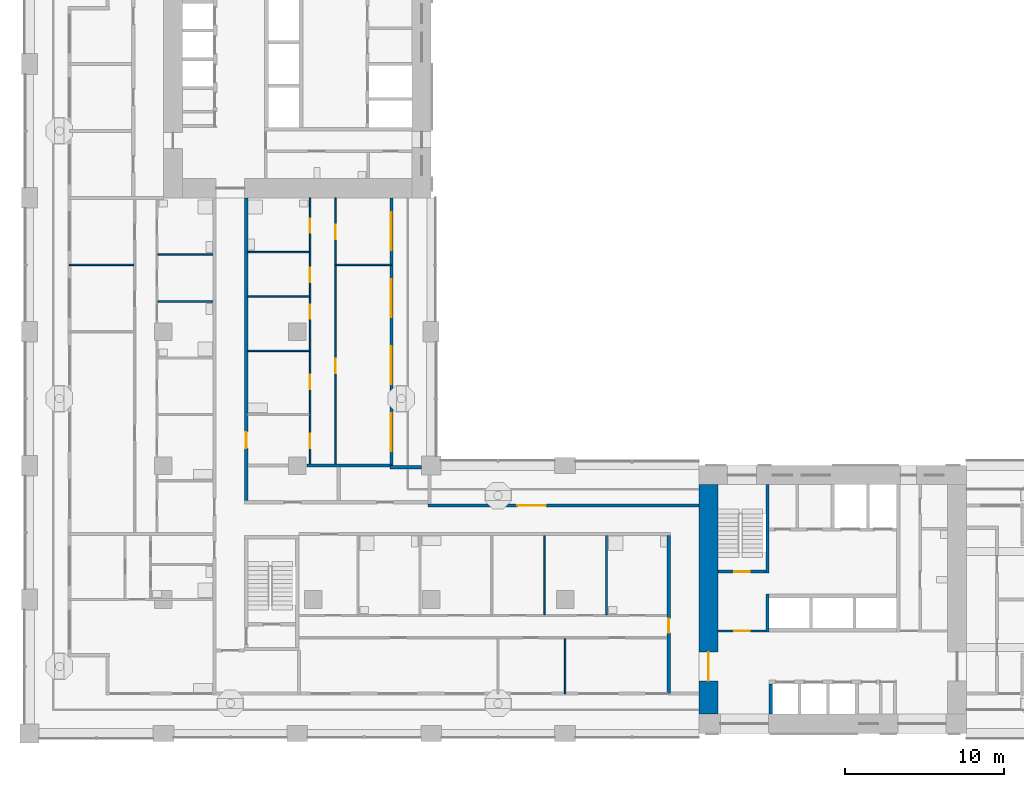
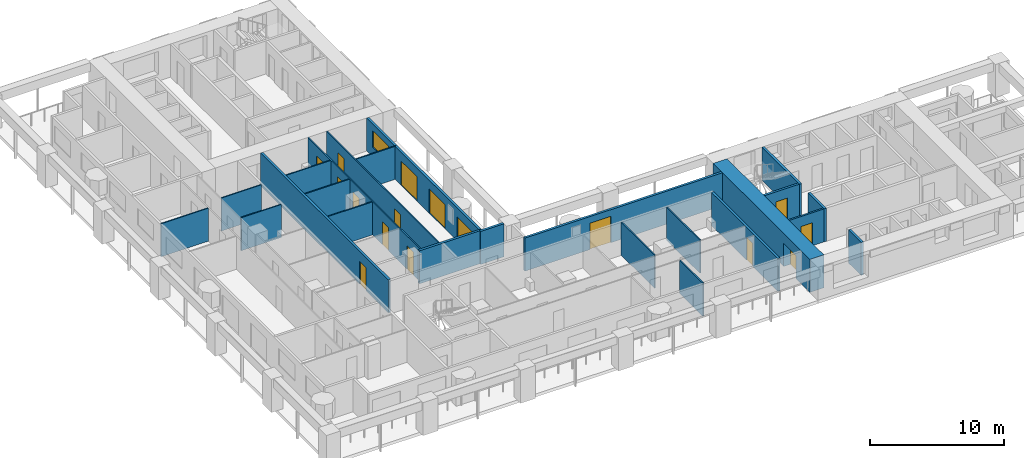
# One storey, part 4 of 18: 24 walls, 16 doors, 1 window, 17 openings.
"""IFC4 building model written with IfcOpenShell, lengths in metres."""

from ifc_helpers import new_model, si_unit, direction, frame, frame_2d, origin, place, context, subcontext, project, spatial, rectangle, extrude, material, layer, layer_set, type_object, element, fill, save


model = new_model("IFC4")

# Units and contexts
model_context = context("Model", 3, precision=1e-05, world=origin(), true_north=direction((0.0, 1.0)))
body_context = subcontext(model_context, "Body", "Model", "MODEL_VIEW")
ifc_project = project(units=[si_unit("LENGTHUNIT", "METRE"), si_unit("AREAUNIT", "SQUARE_METRE"), si_unit("VOLUMEUNIT", "CUBIC_METRE"), si_unit("PLANEANGLEUNIT", "RADIAN"), si_unit("MASSUNIT", "GRAM", prefix="KILO")], contexts=[model_context])

# Site, building, storey
site_placement = place(None, origin())
site = spatial("IfcSite", under=ifc_project, at=site_placement, CompositionType="ELEMENT")
building_placement = place(site_placement, origin())
building = spatial("IfcBuilding", under=site, at=building_placement, Name="Vermilion Gate Residences", CompositionType="ELEMENT")
storey_placement = place(building_placement, frame((0.0, 0.0, 137.199951171875)))
storey = spatial("IfcBuildingStorey", under=building, at=storey_placement, Name="L35", CompositionType="ELEMENT", Elevation=137.199951171875)

# Wall, opening, door
ifc_material_1 = material(Name="Masonry blockwork", Category="masonry")
ifc_layer_1 = layer(ifc_material_1, 0.14990234375)
ifc_layer_set_1 = layer_set([ifc_layer_1], Name="BLOCKWORK PARTITION 150 EI 120")
wall_type_1 = type_object("IfcWallType", Name="BLOCKWORK PARTITION 150 EI 120", PredefinedType="PARTITIONING", material=ifc_layer_set_1)
wall_1_placement = place(storey_placement, frame((43.199951171875, 14.824951171875, 0.0), z_axis=(0.0, 0.0, 1.0), x_axis=(1.0, 0.0, 0.0)))
wall_1 = element("IfcWall", 1, at=wall_1_placement, inside=storey, type_object=wall_type_1, Name="Core room partition A35-VW-S", PredefinedType="PARTITIONING", context=body_context, shape_type="SweptSolid", body=[
    extrude(rectangle(XDim=3.0, YDim=0.14990234375, at=frame_2d((1.5, 0.0))), origin(), (0.0, 0.0, 1.0), 3.0),
])
opening_1_placement = place(wall_1_placement, frame((1.0, 0.0, 0.0)))
opening_1 = element("IfcOpeningElement", 2, at=opening_1_placement, cuts=wall_1, Name="Opening DK35012", PredefinedType="OPENING", context=body_context, shape_type="SweptSolid", body=[
    extrude(rectangle(XDim=1.0, YDim=2.10009765625, at=frame_2d((0.5, 1.050048828125))), frame((0.0, 0.0849609375, 0.0), z_axis=(0.0, -1.0, 0.0), x_axis=(1.0, 0.0, 0.0)), (0.0, 0.0, 1.0), 0.169921875),
])
ifc_material_2 = material(Name="Steel", Category="steel")
door_type_1 = type_object("IfcDoorType", Name="FIRE DOOR FD60 1000 X 2100", OperationType="SINGLE_SWING_LEFT", PredefinedType="DOOR", material=ifc_material_2)
door_1_placement = place(opening_1_placement, frame((1.0, 0.0, 0.0), z_axis=(0.0, 0.0, 1.0), x_axis=(-1.0, 0.0, 0.0)))
door_1 = element("IfcDoor", 3, at=door_1_placement, inside=storey, type_object=door_type_1, Name="Stair vestibule door A35", OperationType="SINGLE_SWING_RIGHT", OverallHeight=2.10009765625, OverallWidth=1.0, PredefinedType="DOOR", context=body_context, shape_type="SweptSolid", body=[
    extrude(rectangle(XDim=1.0, YDim=2.10009765625, at=frame_2d((0.5, 1.050048828125))), frame((0.0, 0.02490234375, 0.0), z_axis=(0.0, -1.0, 0.0), x_axis=(1.0, 0.0, 0.0)), (0.0, 0.0, 1.0), 0.050048828125),
])
fill(opening_1, door_1)

ifc_material_3 = material(Name="Insulated steel stud wall with terracotta rainscreen", Category="masonry")
ifc_layer_2 = layer(ifc_material_3, 0.199951171875)
ifc_layer_set_2 = layer_set([ifc_layer_2], Name="EXTERNAL WALL 200 TERRACOTTA RAINSCREEN")
wall_type_2 = type_object("IfcWallType", Name="EXTERNAL WALL 200 TERRACOTTA RAINSCREEN", PredefinedType="SOLIDWALL", material=ifc_layer_set_2)
wall_2_placement = place(storey_placement, frame((42.0, 22.699951171875, 0.0), z_axis=(0.0, 0.0, 1.0), x_axis=(-1.0, 0.0, 0.0)))
wall_2 = element("IfcWall", 4, at=wall_2_placement, inside=storey, type_object=wall_type_2, Name="External wall", PredefinedType="SOLIDWALL", context=body_context, shape_type="SweptSolid", body=[
    extrude(rectangle(XDim=17.0, YDim=0.199951171875, at=frame_2d((8.5, 0.0))), origin(), (0.0, 0.0, 1.0), 3.0),
])
opening_2_placement = place(wall_2_placement, frame((9.60009765625, 0.0, 0.0)))
opening_2 = element("IfcOpeningElement", 5, at=opening_2_placement, cuts=wall_2, Name="Opening DE35029", PredefinedType="OPENING", context=body_context, shape_type="SweptSolid", body=[
    extrude(rectangle(XDim=1.800048828125, YDim=2.39990234375, at=frame_2d((0.89990234375, 1.199951171875))), frame((0.0, 0.10986328125, 0.0), z_axis=(0.0, -1.0, 0.0), x_axis=(1.0, 0.0, 0.0)), (0.0, 0.0, 1.0), 0.219970703125),
])
ifc_material_4 = material(Name="Aluminium and clear glass", Category="aluminium")
door_type_2 = type_object("IfcDoorType", Name="GLAZED EXTERNAL DOOR 1800 X 2400", OperationType="DOUBLE_DOOR_SINGLE_SWING", PredefinedType="DOOR", material=ifc_material_4)
door_2_placement = place(opening_2_placement, frame((1.800048828125, 0.0, 0.0), z_axis=(0.0, 0.0, 1.0), x_axis=(-1.0, 0.0, 0.0)))
door_2 = element("IfcDoor", 6, at=door_2_placement, inside=storey, type_object=door_type_2, Name="Gallery door", OperationType="DOUBLE_DOOR_SINGLE_SWING", OverallHeight=2.39990234375, OverallWidth=1.800048828125, PredefinedType="DOOR", context=body_context, shape_type="SweptSolid", body=[
    extrude(rectangle(XDim=1.800048828125, YDim=2.39990234375, at=frame_2d((0.89990234375, 1.199951171875))), frame((0.0, 0.02490234375, 0.0), z_axis=(0.0, -1.0, 0.0), x_axis=(1.0, 0.0, 0.0)), (0.0, 0.0, 1.0), 0.050048828125),
])
fill(opening_2, door_2)

# Wall
wall_3_placement = place(storey_placement, frame((24.60009765625, 25.10009765625, 0.0), z_axis=(0.0, 0.0, 1.0), x_axis=(-1.0, 0.0, 0.0)))
element("IfcWall", 7, at=wall_3_placement, inside=storey, type_object=wall_type_2, Name="External wall", PredefinedType="SOLIDWALL", context=body_context, shape_type="SweptSolid", body=[
    extrude(rectangle(XDim=2.0, YDim=0.199951171875, at=frame_2d((1.0, 0.0))), origin(), (0.0, 0.0, 1.0), 3.0),
])

# Wall, openings, doors, window
wall_4_placement = place(storey_placement, frame((22.699951171875, 25.199951171875, 0.0), z_axis=(0.0, 0.0, 1.0), x_axis=(0.0, 1.0, 0.0)))
wall_4 = element("IfcWall", 8, at=wall_4_placement, inside=storey, type_object=wall_type_2, Name="External wall", PredefinedType="SOLIDWALL", context=body_context, shape_type="SweptSolid", body=[
    extrude(rectangle(XDim=16.800048828125, YDim=0.199951171875, at=frame_2d((8.39990234375, 0.0))), origin(), (0.0, 0.0, 1.0), 3.0),
])
opening_3_placement = place(wall_4_placement, frame((0.89990234375, 0.0, 0.0)))
opening_3 = element("IfcOpeningElement", 9, at=opening_3_placement, cuts=wall_4, Name="Opening DE35024", PredefinedType="OPENING", context=body_context, shape_type="SweptSolid", body=[
    extrude(rectangle(XDim=2.39990234375, YDim=2.199951171875, at=frame_2d((1.199951171875, 1.10009765625))), frame((0.0, 0.10986328125, 0.0), z_axis=(0.0, -1.0, 0.0), x_axis=(1.0, 0.0, 0.0)), (0.0, 0.0, 1.0), 0.219970703125),
])
opening_4_placement = place(wall_4_placement, frame((5.10009765625, 0.0, 0.0)))
opening_4 = element("IfcOpeningElement", 10, at=opening_4_placement, cuts=wall_4, Name="Opening DE35025", PredefinedType="OPENING", context=body_context, shape_type="SweptSolid", body=[
    extrude(rectangle(XDim=2.39990234375, YDim=2.199951171875, at=frame_2d((1.199951171875, 1.10009765625))), frame((0.0, 0.10986328125, 0.0), z_axis=(0.0, -1.0, 0.0), x_axis=(1.0, 0.0, 0.0)), (0.0, 0.0, 1.0), 0.219970703125),
])
opening_5_placement = place(wall_4_placement, frame((9.300048828125, 0.0, 0.0)))
opening_5 = element("IfcOpeningElement", 11, at=opening_5_placement, cuts=wall_4, Name="Opening DE35026", PredefinedType="OPENING", context=body_context, shape_type="SweptSolid", body=[
    extrude(rectangle(XDim=2.39990234375, YDim=2.199951171875, at=frame_2d((1.199951171875, 1.10009765625))), frame((0.0, 0.10986328125, 0.0), z_axis=(0.0, -1.0, 0.0), x_axis=(1.0, 0.0, 0.0)), (0.0, 0.0, 1.0), 0.219970703125),
])
opening_6_placement = place(wall_4_placement, frame((13.5, 0.0, 0.89990234375)))
opening_6 = element("IfcOpeningElement", 12, at=opening_6_placement, cuts=wall_4, Name="Opening WE35027", PredefinedType="OPENING", context=body_context, shape_type="SweptSolid", body=[
    extrude(rectangle(XDim=2.39990234375, YDim=1.5, at=frame_2d((1.199951171875, 0.75))), frame((0.0, 0.10986328125, 0.0), z_axis=(0.0, -1.0, 0.0), x_axis=(1.0, 0.0, 0.0)), (0.0, 0.0, 1.0), 0.219970703125),
])
ifc_material_5 = material(Name="Aluminium and clear glass", Category="aluminium")
door_type_3 = type_object("IfcDoorType", Name="SLIDING GLAZED DOOR 2400 X 2200", OperationType="DOUBLE_DOOR_SLIDING", PredefinedType="DOOR", material=ifc_material_5)
door_3_placement = place(opening_3_placement, origin())
door_3 = element("IfcDoor", 13, at=door_3_placement, inside=storey, type_object=door_type_3, Name="Loggia sliding door", OperationType="DOUBLE_DOOR_SLIDING", OverallHeight=2.199951171875, OverallWidth=2.39990234375, PredefinedType="DOOR", context=body_context, shape_type="SweptSolid", body=[
    extrude(rectangle(XDim=2.39990234375, YDim=2.199951171875, at=frame_2d((1.199951171875, 1.10009765625))), frame((0.0, 0.02490234375, 0.0), z_axis=(0.0, -1.0, 0.0), x_axis=(1.0, 0.0, 0.0)), (0.0, 0.0, 1.0), 0.050048828125),
])
fill(opening_3, door_3)
door_4_placement = place(opening_4_placement, origin())
door_4 = element("IfcDoor", 14, at=door_4_placement, inside=storey, type_object=door_type_3, Name="Loggia sliding door", OperationType="DOUBLE_DOOR_SLIDING", OverallHeight=2.199951171875, OverallWidth=2.39990234375, PredefinedType="DOOR", context=body_context, shape_type="SweptSolid", body=[
    extrude(rectangle(XDim=2.39990234375, YDim=2.199951171875, at=frame_2d((1.199951171875, 1.10009765625))), frame((0.0, 0.02490234375, 0.0), z_axis=(0.0, -1.0, 0.0), x_axis=(1.0, 0.0, 0.0)), (0.0, 0.0, 1.0), 0.050048828125),
])
fill(opening_4, door_4)
door_5_placement = place(opening_5_placement, origin())
door_5 = element("IfcDoor", 15, at=door_5_placement, inside=storey, type_object=door_type_3, Name="Loggia sliding door", OperationType="DOUBLE_DOOR_SLIDING", OverallHeight=2.199951171875, OverallWidth=2.39990234375, PredefinedType="DOOR", context=body_context, shape_type="SweptSolid", body=[
    extrude(rectangle(XDim=2.39990234375, YDim=2.199951171875, at=frame_2d((1.199951171875, 1.10009765625))), frame((0.0, 0.02490234375, 0.0), z_axis=(0.0, -1.0, 0.0), x_axis=(1.0, 0.0, 0.0)), (0.0, 0.0, 1.0), 0.050048828125),
])
fill(opening_5, door_5)
ifc_material_6 = material(Name="Aluminium and clear glass", Category="aluminium")
window_type = type_object("IfcWindowType", Name="WINDOW 2400 X 1500", PartitioningType="SINGLE_PANEL", PredefinedType="WINDOW", material=ifc_material_6)
window_placement = place(opening_6_placement, origin())
window = element("IfcWindow", 16, at=window_placement, inside=storey, type_object=window_type, Name="Window", OverallHeight=1.5, OverallWidth=2.39990234375, PartitioningType="SINGLE_PANEL", PredefinedType="WINDOW", context=body_context, shape_type="SweptSolid", body=[
    extrude(rectangle(XDim=2.39990234375, YDim=1.5, at=frame_2d((1.199951171875, 0.75))), frame((0.0, 0.030029296875, 0.0), z_axis=(0.0, -1.0, 0.0), x_axis=(1.0, 0.0, 0.0)), (0.0, 0.0, 1.0), 0.06005859375),
])
fill(opening_6, window)

# Walls
ifc_material_7 = material(Name="Plasterboard on steel studs", Category="steel")
ifc_layer_3 = layer(ifc_material_7, 0.10009765625)
ifc_layer_set_3 = layer_set([ifc_layer_3], Name="PARTITION 100")
wall_type_3 = type_object("IfcWallType", Name="PARTITION 100", PredefinedType="PARTITIONING", material=ifc_layer_set_3)
wall_5_placement = place(storey_placement, frame((13.699951171875, 32.39990234375, 0.0), z_axis=(0.0, 0.0, 1.0), x_axis=(1.0, 0.0, 0.0)))
element("IfcWall", 17, at=wall_5_placement, inside=storey, type_object=wall_type_3, Name="Partition", PredefinedType="PARTITIONING", context=body_context, shape_type="SweptSolid", body=[
    extrude(rectangle(XDim=3.85009765625, YDim=0.10009765625, at=frame_2d((1.925048828125, 0.0))), origin(), (0.0, 0.0, 1.0), 3.0),
])
wall_6_placement = place(storey_placement, frame((8.050048828125, 35.5, 0.0), z_axis=(0.0, 0.0, 1.0), x_axis=(1.0, 0.0, 0.0)))
element("IfcWall", 18, at=wall_6_placement, inside=storey, type_object=wall_type_3, Name="Partition", PredefinedType="PARTITIONING", context=body_context, shape_type="SweptSolid", body=[
    extrude(rectangle(XDim=3.449951171875, YDim=0.10009765625, at=frame_2d((1.72509765625, 0.0))), origin(), (0.0, 0.0, 1.0), 3.0),
])
wall_7_placement = place(storey_placement, frame((13.699951171875, 35.800048828125, 0.0), z_axis=(0.0, 0.0, 1.0), x_axis=(1.0, 0.0, 0.0)))
element("IfcWall", 19, at=wall_7_placement, inside=storey, type_object=wall_type_3, Name="Partition", PredefinedType="PARTITIONING", context=body_context, shape_type="SweptSolid", body=[
    extrude(rectangle(XDim=3.85009765625, YDim=0.10009765625, at=frame_2d((1.925048828125, 0.0))), origin(), (0.0, 0.0, 1.0), 3.0),
])
wall_8_placement = place(storey_placement, frame((2.5, 37.800048828125, 0.0), z_axis=(0.0, 0.0, 1.0), x_axis=(1.0, 0.0, 0.0)))
element("IfcWall", 20, at=wall_8_placement, inside=storey, type_object=wall_type_3, Name="Partition", PredefinedType="PARTITIONING", context=body_context, shape_type="SweptSolid", body=[
    extrude(rectangle(XDim=4.050048828125, YDim=0.10009765625, at=frame_2d((2.02490234375, 0.0))), origin(), (0.0, 0.0, 1.0), 3.0),
])
for number, where, z_axis, x_axis, name in (
    (21, (19.25, 37.800048828125, 0.0), (0.0, 0.0, 1.0), (1.0, 0.0, 0.0), "Partition"),
    (22, (8.050048828125, 38.449951171875, 0.0), (0.0, 0.0, 1.0), (1.0, 0.0, 0.0), "Partition"),
):
    element("IfcWall", number, at=place(storey_placement, frame(where, z_axis=z_axis, x_axis=x_axis)), inside=storey, type_object=wall_type_3, Name=name, PredefinedType="PARTITIONING", context=body_context, shape_type="SweptSolid", body=[
        extrude(rectangle(XDim=3.449951171875, YDim=0.10009765625, at=frame_2d((1.72509765625, 0.0))), origin(), (0.0, 0.0, 1.0), 3.0),
    ])
wall_9_placement = place(storey_placement, frame((13.699951171875, 38.60009765625, 0.0), z_axis=(0.0, 0.0, 1.0), x_axis=(1.0, 0.0, 0.0)))
element("IfcWall", 23, at=wall_9_placement, inside=storey, type_object=wall_type_3, Name="Partition", PredefinedType="PARTITIONING", context=body_context, shape_type="SweptSolid", body=[
    extrude(rectangle(XDim=3.85009765625, YDim=0.10009765625, at=frame_2d((1.925048828125, 0.0))), origin(), (0.0, 0.0, 1.0), 3.0),
])

# Wall, openings, doors
wall_10_placement = place(storey_placement, frame((17.60009765625, 25.300048828125, 0.0), z_axis=(0.0, 0.0, 1.0), x_axis=(0.0, 1.0, 0.0)))
wall_10 = element("IfcWall", 24, at=wall_10_placement, inside=storey, type_object=wall_type_3, Name="Partition", PredefinedType="PARTITIONING", context=body_context, shape_type="SweptSolid", body=[
    extrude(rectangle(XDim=16.699951171875, YDim=0.10009765625, at=frame_2d((8.35009765625, 0.0))), origin(), (0.0, 0.0, 1.0), 3.0),
])
opening_7_placement = place(wall_10_placement, frame((1.0, 0.0, 0.0)))
opening_7 = element("IfcOpeningElement", 25, at=opening_7_placement, cuts=wall_10, Name="Opening DA34033", PredefinedType="OPENING", context=body_context, shape_type="SweptSolid", body=[
    extrude(rectangle(XDim=0.89990234375, YDim=2.10009765625, at=frame_2d((0.449951171875, 1.050048828125))), frame((0.0, 0.06005859375, 0.0), z_axis=(0.0, -1.0, 0.0), x_axis=(1.0, 0.0, 0.0)), (0.0, 0.0, 1.0), 0.1201171875),
])
opening_8_placement = place(wall_10_placement, frame((4.699951171875, 0.0, 0.0)))
opening_8 = element("IfcOpeningElement", 26, at=opening_8_placement, cuts=wall_10, Name="Opening DA34034", PredefinedType="OPENING", context=body_context, shape_type="SweptSolid", body=[
    extrude(rectangle(XDim=0.89990234375, YDim=2.10009765625, at=frame_2d((0.449951171875, 1.050048828125))), frame((0.0, 0.06005859375, 0.0), z_axis=(0.0, -1.0, 0.0), x_axis=(1.0, 0.0, 0.0)), (0.0, 0.0, 1.0), 0.1201171875),
])
opening_9_placement = place(wall_10_placement, frame((9.10009765625, 0.0, 0.0)))
opening_9 = element("IfcOpeningElement", 27, at=opening_9_placement, cuts=wall_10, Name="Opening DA34035", PredefinedType="OPENING", context=body_context, shape_type="SweptSolid", body=[
    extrude(rectangle(XDim=0.89990234375, YDim=2.10009765625, at=frame_2d((0.449951171875, 1.050048828125))), frame((0.0, 0.06005859375, 0.0), z_axis=(0.0, -1.0, 0.0), x_axis=(1.0, 0.0, 0.0)), (0.0, 0.0, 1.0), 0.1201171875),
])
opening_10_placement = place(wall_10_placement, frame((11.39990234375, 0.0, 0.0)))
opening_10 = element("IfcOpeningElement", 28, at=opening_10_placement, cuts=wall_10, Name="Opening DA34036", PredefinedType="OPENING", context=body_context, shape_type="SweptSolid", body=[
    extrude(rectangle(XDim=0.89990234375, YDim=2.10009765625, at=frame_2d((0.449951171875, 1.050048828125))), frame((0.0, 0.06005859375, 0.0), z_axis=(0.0, -1.0, 0.0), x_axis=(1.0, 0.0, 0.0)), (0.0, 0.0, 1.0), 0.1201171875),
])
opening_11_placement = place(wall_10_placement, frame((14.5, 0.0, 0.0)))
opening_11 = element("IfcOpeningElement", 29, at=opening_11_placement, cuts=wall_10, Name="Opening DA34037", PredefinedType="OPENING", context=body_context, shape_type="SweptSolid", body=[
    extrude(rectangle(XDim=0.89990234375, YDim=2.10009765625, at=frame_2d((0.449951171875, 1.050048828125))), frame((0.0, 0.06005859375, 0.0), z_axis=(0.0, -1.0, 0.0), x_axis=(1.0, 0.0, 0.0)), (0.0, 0.0, 1.0), 0.1201171875),
])
ifc_material_8 = material(Name="Timber", Category="wood")
door_type_4 = type_object("IfcDoorType", Name="INTERIOR DOOR 900 X 2100", OperationType="SINGLE_SWING_LEFT", PredefinedType="DOOR", material=ifc_material_8)
door_6_placement = place(opening_7_placement, origin())
door_6 = element("IfcDoor", 30, at=door_6_placement, inside=storey, type_object=door_type_4, Name="Interior door", OperationType="SINGLE_SWING_LEFT", OverallHeight=2.10009765625, OverallWidth=0.89990234375, PredefinedType="DOOR", context=body_context, shape_type="SweptSolid", body=[
    extrude(rectangle(XDim=0.89990234375, YDim=2.10009765625, at=frame_2d((0.449951171875, 1.050048828125))), frame((0.0, 0.02490234375, 0.0), z_axis=(0.0, -1.0, 0.0), x_axis=(1.0, 0.0, 0.0)), (0.0, 0.0, 1.0), 0.050048828125),
])
fill(opening_7, door_6)
door_7_placement = place(opening_8_placement, origin())
door_7 = element("IfcDoor", 31, at=door_7_placement, inside=storey, type_object=door_type_4, Name="Interior door", OperationType="SINGLE_SWING_RIGHT", OverallHeight=2.10009765625, OverallWidth=0.89990234375, PredefinedType="DOOR", context=body_context, shape_type="SweptSolid", body=[
    extrude(rectangle(XDim=0.89990234375, YDim=2.10009765625, at=frame_2d((0.449951171875, 1.050048828125))), frame((0.0, 0.02490234375, 0.0), z_axis=(0.0, -1.0, 0.0), x_axis=(1.0, 0.0, 0.0)), (0.0, 0.0, 1.0), 0.050048828125),
])
fill(opening_8, door_7)
door_8_placement = place(opening_9_placement, origin())
door_8 = element("IfcDoor", 32, at=door_8_placement, inside=storey, type_object=door_type_4, Name="Interior door", OperationType="SINGLE_SWING_RIGHT", OverallHeight=2.10009765625, OverallWidth=0.89990234375, PredefinedType="DOOR", context=body_context, shape_type="SweptSolid", body=[
    extrude(rectangle(XDim=0.89990234375, YDim=2.10009765625, at=frame_2d((0.449951171875, 1.050048828125))), frame((0.0, 0.02490234375, 0.0), z_axis=(0.0, -1.0, 0.0), x_axis=(1.0, 0.0, 0.0)), (0.0, 0.0, 1.0), 0.050048828125),
])
fill(opening_9, door_8)
door_9_placement = place(opening_10_placement, origin())
door_9 = element("IfcDoor", 33, at=door_9_placement, inside=storey, type_object=door_type_4, Name="Interior door", OperationType="SINGLE_SWING_LEFT", OverallHeight=2.10009765625, OverallWidth=0.89990234375, PredefinedType="DOOR", context=body_context, shape_type="SweptSolid", body=[
    extrude(rectangle(XDim=0.89990234375, YDim=2.10009765625, at=frame_2d((0.449951171875, 1.050048828125))), frame((0.0, 0.02490234375, 0.0), z_axis=(0.0, -1.0, 0.0), x_axis=(1.0, 0.0, 0.0)), (0.0, 0.0, 1.0), 0.050048828125),
])
fill(opening_10, door_9)
door_10_placement = place(opening_11_placement, origin())
door_10 = element("IfcDoor", 34, at=door_10_placement, inside=storey, type_object=door_type_4, Name="Interior door", OperationType="SINGLE_SWING_RIGHT", OverallHeight=2.10009765625, OverallWidth=0.89990234375, PredefinedType="DOOR", context=body_context, shape_type="SweptSolid", body=[
    extrude(rectangle(XDim=0.89990234375, YDim=2.10009765625, at=frame_2d((0.449951171875, 1.050048828125))), frame((0.0, 0.02490234375, 0.0), z_axis=(0.0, -1.0, 0.0), x_axis=(1.0, 0.0, 0.0)), (0.0, 0.0, 1.0), 0.050048828125),
])
fill(opening_11, door_10)

wall_11_placement = place(storey_placement, frame((19.199951171875, 25.300048828125, 0.0), z_axis=(0.0, 0.0, 1.0), x_axis=(0.0, 1.0, 0.0)))
wall_11 = element("IfcWall", 35, at=wall_11_placement, inside=storey, type_object=wall_type_3, Name="Partition", PredefinedType="PARTITIONING", context=body_context, shape_type="SweptSolid", body=[
    extrude(rectangle(XDim=16.699951171875, YDim=0.10009765625, at=frame_2d((8.35009765625, 0.0))), origin(), (0.0, 0.0, 1.0), 3.0),
])
opening_12_placement = place(wall_11_placement, frame((5.699951171875, 0.0, 0.0)))
opening_12 = element("IfcOpeningElement", 36, at=opening_12_placement, cuts=wall_11, Name="Opening DA34038", PredefinedType="OPENING", context=body_context, shape_type="SweptSolid", body=[
    extrude(rectangle(XDim=0.89990234375, YDim=2.10009765625, at=frame_2d((0.449951171875, 1.050048828125))), frame((0.0, 0.06005859375, 0.0), z_axis=(0.0, -1.0, 0.0), x_axis=(1.0, 0.0, 0.0)), (0.0, 0.0, 1.0), 0.1201171875),
])
opening_13_placement = place(wall_11_placement, frame((14.10009765625, 0.0, 0.0)))
opening_13 = element("IfcOpeningElement", 37, at=opening_13_placement, cuts=wall_11, Name="Opening DA34039", PredefinedType="OPENING", context=body_context, shape_type="SweptSolid", body=[
    extrude(rectangle(XDim=0.89990234375, YDim=2.10009765625, at=frame_2d((0.449951171875, 1.050048828125))), frame((0.0, 0.06005859375, 0.0), z_axis=(0.0, -1.0, 0.0), x_axis=(1.0, 0.0, 0.0)), (0.0, 0.0, 1.0), 0.1201171875),
])
door_11_placement = place(opening_12_placement, frame((0.89990234375, 0.0, 0.0), z_axis=(0.0, 0.0, 1.0), x_axis=(-1.0, 0.0, 0.0)))
door_11 = element("IfcDoor", 38, at=door_11_placement, inside=storey, type_object=door_type_4, Name="Interior door", OperationType="SINGLE_SWING_RIGHT", OverallHeight=2.10009765625, OverallWidth=0.89990234375, PredefinedType="DOOR", context=body_context, shape_type="SweptSolid", body=[
    extrude(rectangle(XDim=0.89990234375, YDim=2.10009765625, at=frame_2d((0.449951171875, 1.050048828125))), frame((0.0, 0.02490234375, 0.0), z_axis=(0.0, -1.0, 0.0), x_axis=(1.0, 0.0, 0.0)), (0.0, 0.0, 1.0), 0.050048828125),
])
fill(opening_12, door_11)
door_12_placement = place(opening_13_placement, frame((0.89990234375, 0.0, 0.0), z_axis=(0.0, 0.0, 1.0), x_axis=(-1.0, 0.0, 0.0)))
door_12 = element("IfcDoor", 39, at=door_12_placement, inside=storey, type_object=door_type_4, Name="Interior door", OperationType="SINGLE_SWING_RIGHT", OverallHeight=2.10009765625, OverallWidth=0.89990234375, PredefinedType="DOOR", context=body_context, shape_type="SweptSolid", body=[
    extrude(rectangle(XDim=0.89990234375, YDim=2.10009765625, at=frame_2d((0.449951171875, 1.050048828125))), frame((0.0, 0.02490234375, 0.0), z_axis=(0.0, -1.0, 0.0), x_axis=(1.0, 0.0, 0.0)), (0.0, 0.0, 1.0), 0.050048828125),
])
fill(opening_13, door_12)

# Walls
wall_12_placement = place(storey_placement, frame((32.300048828125, 15.85009765625, 0.0), z_axis=(0.0, 0.0, 1.0), x_axis=(0.0, 1.0, 0.0)))
element("IfcWall", 40, at=wall_12_placement, inside=storey, type_object=wall_type_3, Name="Partition", PredefinedType="PARTITIONING", context=body_context, shape_type="SweptSolid", body=[
    extrude(rectangle(XDim=4.949951171875, YDim=0.10009765625, at=frame_2d((2.47509765625, 0.0))), origin(), (0.0, 0.0, 1.0), 3.0),
])
wall_13_placement = place(storey_placement, frame((33.60009765625, 10.89990234375, 0.0), z_axis=(0.0, 0.0, 1.0), x_axis=(0.0, 1.0, 0.0)))
element("IfcWall", 41, at=wall_13_placement, inside=storey, type_object=wall_type_3, Name="Partition", PredefinedType="PARTITIONING", context=body_context, shape_type="SweptSolid", body=[
    extrude(rectangle(XDim=3.4501953125, YDim=0.10009765625, at=frame_2d((1.72509765625, 0.0))), origin(), (0.0, 0.0, 1.0), 3.0),
])
wall_14_placement = place(storey_placement, frame((36.199951171875, 15.85009765625, 0.0), z_axis=(0.0, 0.0, 1.0), x_axis=(0.0, 1.0, 0.0)))
element("IfcWall", 42, at=wall_14_placement, inside=storey, type_object=wall_type_3, Name="Partition", PredefinedType="PARTITIONING", context=body_context, shape_type="SweptSolid", body=[
    extrude(rectangle(XDim=4.949951171875, YDim=0.10009765625, at=frame_2d((2.47509765625, 0.0))), origin(), (0.0, 0.0, 1.0), 3.0),
])
ifc_material_9 = material(Name="Fire-rated plasterboard on steel studs", Category="steel")
ifc_layer_4 = layer(ifc_material_9, 0.199951171875)
ifc_layer_set_4 = layer_set([ifc_layer_4], Name="PARTY WALL 200 EI 120")
wall_type_4 = type_object("IfcWallType", Name="PARTY WALL 200 EI 120", PredefinedType="PARTITIONING", material=ifc_layer_set_4)
wall_15_placement = place(storey_placement, frame((17.39990234375, 25.199951171875, 0.0), z_axis=(0.0, 0.0, 1.0), x_axis=(1.0, 0.0, 0.0)))
element("IfcWall", 43, at=wall_15_placement, inside=storey, type_object=wall_type_4, Name="Party and corridor wall", PredefinedType="PARTITIONING", context=body_context, shape_type="SweptSolid", body=[
    extrude(rectangle(XDim=5.300048828125, YDim=0.199951171875, at=frame_2d((2.64990234375, 0.0))), origin(), (0.0, 0.0, 1.0), 3.0),
])

# Wall, opening, door
wall_16_placement = place(storey_placement, frame((13.60009765625, 23.0, 0.0), z_axis=(0.0, 0.0, 1.0), x_axis=(0.0, 1.0, 0.0)))
wall_16 = element("IfcWall", 44, at=wall_16_placement, inside=storey, type_object=wall_type_4, Name="Party and corridor wall", PredefinedType="PARTITIONING", context=body_context, shape_type="SweptSolid", body=[
    extrude(rectangle(XDim=19.0, YDim=0.199951171875, at=frame_2d((9.5, 0.0))), origin(), (0.0, 0.0, 1.0), 3.0),
])
opening_14_placement = place(wall_16_placement, frame((3.300048828125, 0.0, 0.0)))
opening_14 = element("IfcOpeningElement", 45, at=opening_14_placement, cuts=wall_16, Name="Opening DA34032", PredefinedType="OPENING", context=body_context, shape_type="SweptSolid", body=[
    extrude(rectangle(XDim=1.0, YDim=2.10009765625, at=frame_2d((0.5, 1.050048828125))), frame((0.0, 0.10986328125, 0.0), z_axis=(0.0, -1.0, 0.0), x_axis=(1.0, 0.0, 0.0)), (0.0, 0.0, 1.0), 0.219970703125),
])
ifc_material_10 = material(Name="Steel", Category="steel")
door_type_5 = type_object("IfcDoorType", Name="ENTRANCE DOOR 1000 X 2100 FD30", OperationType="SINGLE_SWING_LEFT", PredefinedType="DOOR", material=ifc_material_10)
door_13_placement = place(opening_14_placement, frame((1.0, 0.0, 0.0), z_axis=(0.0, 0.0, 1.0), x_axis=(-1.0, 0.0, 0.0)))
door_13 = element("IfcDoor", 46, at=door_13_placement, inside=storey, type_object=door_type_5, Name="Entrance door", OperationType="SINGLE_SWING_RIGHT", OverallHeight=2.10009765625, OverallWidth=1.0, PredefinedType="DOOR", context=body_context, shape_type="SweptSolid", body=[
    extrude(rectangle(XDim=1.0, YDim=2.10009765625, at=frame_2d((0.5, 1.050048828125))), frame((0.0, 0.02490234375, 0.0), z_axis=(0.0, -1.0, 0.0), x_axis=(1.0, 0.0, 0.0)), (0.0, 0.0, 1.0), 0.050048828125),
])
fill(opening_14, door_13)

wall_17_placement = place(storey_placement, frame((40.10009765625, 10.89990234375, 0.0), z_axis=(0.0, 0.0, 1.0), x_axis=(0.0, 1.0, 0.0)))
wall_17 = element("IfcWall", 47, at=wall_17_placement, inside=storey, type_object=wall_type_4, Name="Party and corridor wall", PredefinedType="PARTITIONING", context=body_context, shape_type="SweptSolid", body=[
    extrude(rectangle(XDim=9.900146484375, YDim=0.199951171875, at=frame_2d((4.9501953125, 0.0))), origin(), (0.0, 0.0, 1.0), 3.0),
])
opening_15_placement = place(wall_17_placement, frame((3.800048828125, 0.0, 0.0)))
opening_15 = element("IfcOpeningElement", 48, at=opening_15_placement, cuts=wall_17, Name="Opening DA34040", PredefinedType="OPENING", context=body_context, shape_type="SweptSolid", body=[
    extrude(rectangle(XDim=0.89990234375, YDim=2.10009765625, at=frame_2d((0.449951171875, 1.050048828125))), frame((0.0, 0.10986328125, 0.0), z_axis=(0.0, -1.0, 0.0), x_axis=(1.0, 0.0, 0.0)), (0.0, 0.0, 1.0), 0.219970703125),
])
door_14_placement = place(opening_15_placement, origin())
door_14 = element("IfcDoor", 49, at=door_14_placement, inside=storey, type_object=door_type_4, Name="Interior door", OperationType="SINGLE_SWING_RIGHT", OverallHeight=2.10009765625, OverallWidth=0.89990234375, PredefinedType="DOOR", context=body_context, shape_type="SweptSolid", body=[
    extrude(rectangle(XDim=0.89990234375, YDim=2.10009765625, at=frame_2d((0.449951171875, 1.050048828125))), frame((0.0, 0.02490234375, 0.0), z_axis=(0.0, -1.0, 0.0), x_axis=(1.0, 0.0, 0.0)), (0.0, 0.0, 1.0), 0.050048828125),
])
fill(opening_15, door_14)

# Walls
ifc_material_11 = material(Name="Concrete C60", Category="concrete")
ifc_layer_5 = layer(ifc_material_11, 0.199951171875)
ifc_layer_set_5 = layer_set([ifc_layer_5], Name="RC CORE INTERNAL WALL 200 C60")
wall_type_5 = type_object("IfcWallType", Name="RC CORE INTERNAL WALL 200 C60", PredefinedType="SHEAR", material=ifc_layer_set_5)
wall_18_placement = place(storey_placement, frame((46.5, 9.60009765625, 0.0), z_axis=(0.0, 0.0, 1.0), x_axis=(0.0, 1.0, 0.0)))
element("IfcWall", 50, at=wall_18_placement, inside=storey, type_object=wall_type_5, Name="Core internal wall A35-LR-D0", PredefinedType="SHEAR", context=body_context, shape_type="SweptSolid", body=[
    extrude(rectangle(XDim=1.89990234375, YDim=0.199951171875, at=frame_2d((0.949951171875, 0.0))), origin(), (0.0, 0.0, 1.0), 3.0),
])
wall_19_placement = place(storey_placement, frame((46.300048828125, 14.75, 0.0), z_axis=(0.0, 0.0, 1.0), x_axis=(0.0, 1.0, 0.0)))
element("IfcWall", 51, at=wall_19_placement, inside=storey, type_object=wall_type_5, Name="Core internal wall A35-WDIV1", PredefinedType="SHEAR", context=body_context, shape_type="SweptSolid", body=[
    extrude(rectangle(XDim=2.39990234375, YDim=0.199951171875, at=frame_2d((1.199951171875, 0.0))), origin(), (0.0, 0.0, 1.0), 3.0),
])
wall_20_placement = place(storey_placement, frame((46.300048828125, 18.449951171875, 0.0), z_axis=(0.0, 0.0, 1.0), x_axis=(0.0, 1.0, 0.0)))
element("IfcWall", 52, at=wall_20_placement, inside=storey, type_object=wall_type_5, Name="Core internal wall A35-WDIV2", PredefinedType="SHEAR", context=body_context, shape_type="SweptSolid", body=[
    extrude(rectangle(XDim=5.550048828125, YDim=0.199951171875, at=frame_2d((2.77490234375, 0.0))), origin(), (0.0, 0.0, 1.0), 3.0),
])

# Wall, opening, door
wall_21_placement = place(storey_placement, frame((43.199951171875, 18.550048828125, 0.0), z_axis=(0.0, 0.0, 1.0), x_axis=(1.0, 0.0, 0.0)))
wall_21 = element("IfcWall", 53, at=wall_21_placement, inside=storey, type_object=wall_type_5, Name="Core internal wall A35-STW-S", PredefinedType="SHEAR", context=body_context, shape_type="SweptSolid", body=[
    extrude(rectangle(XDim=3.0, YDim=0.199951171875, at=frame_2d((1.5, 0.0))), origin(), (0.0, 0.0, 1.0), 3.0),
])
opening_16_placement = place(wall_21_placement, frame((1.0, 0.0, 0.0)))
opening_16 = element("IfcOpeningElement", 54, at=opening_16_placement, cuts=wall_21, Name="Opening DK35013", PredefinedType="OPENING", context=body_context, shape_type="SweptSolid", body=[
    extrude(rectangle(XDim=1.0, YDim=2.10009765625, at=frame_2d((0.5, 1.050048828125))), frame((0.0, 0.10986328125, 0.0), z_axis=(0.0, -1.0, 0.0), x_axis=(1.0, 0.0, 0.0)), (0.0, 0.0, 1.0), 0.219970703125),
])
door_15_placement = place(opening_16_placement, origin())
door_15 = element("IfcDoor", 55, at=door_15_placement, inside=storey, type_object=door_type_1, Name="Stair door A35", OperationType="SINGLE_SWING_LEFT", OverallHeight=2.10009765625, OverallWidth=1.0, PredefinedType="DOOR", context=body_context, shape_type="SweptSolid", body=[
    extrude(rectangle(XDim=1.0, YDim=2.10009765625, at=frame_2d((0.5, 1.050048828125))), frame((0.0, 0.02490234375, 0.0), z_axis=(0.0, -1.0, 0.0), x_axis=(1.0, 0.0, 0.0)), (0.0, 0.0, 1.0), 0.050048828125),
])
fill(opening_16, door_15)

ifc_material_12 = material(Name="Concrete C70", Category="concrete")
ifc_layer_6 = layer(ifc_material_12, 1.199951171875)
ifc_layer_set_6 = layer_set([ifc_layer_6], Name="RC CORE WALL 1200 C70")
wall_type_6 = type_object("IfcWallType", Name="RC CORE WALL 1200 C70", PredefinedType="SHEAR", material=ifc_layer_set_6)
wall_22_placement = place(storey_placement, frame((42.60009765625, 9.60009765625, 0.0), z_axis=(0.0, 0.0, 1.0), x_axis=(0.0, 1.0, 0.0)))
wall_22 = element("IfcWall", 56, at=wall_22_placement, inside=storey, type_object=wall_type_6, Name="Core wall A35-OUT-FR", PredefinedType="SHEAR", context=body_context, shape_type="SweptSolid", body=[
    extrude(rectangle(XDim=14.39990234375, YDim=1.199951171875, at=frame_2d((7.199951171875, 0.0))), origin(), (0.0, 0.0, 1.0), 3.0),
])
opening_17_placement = place(wall_22_placement, frame((2.10009765625, 0.0, 0.0)))
opening_17 = element("IfcOpeningElement", 57, at=opening_17_placement, cuts=wall_22, Name="Opening DK35001", PredefinedType="OPENING", context=body_context, shape_type="SweptSolid", body=[
    extrude(rectangle(XDim=1.800048828125, YDim=2.10009765625, at=frame_2d((0.89990234375, 1.050048828125))), frame((0.0, 0.60986328125, 0.0), z_axis=(0.0, -1.0, 0.0), x_axis=(1.0, 0.0, 0.0)), (0.0, 0.0, 1.0), 1.219970703125),
])
ifc_material_13 = material(Name="Steel", Category="steel")
door_type_6 = type_object("IfcDoorType", Name="CORE LOBBY DOOR FD60 1800 X 2100", OperationType="DOUBLE_DOOR_SINGLE_SWING", PredefinedType="DOOR", material=ifc_material_13)
door_16_placement = place(opening_17_placement, frame((1.800048828125, 0.0, 0.0), z_axis=(0.0, 0.0, 1.0), x_axis=(-1.0, 0.0, 0.0)))
door_16 = element("IfcDoor", 58, at=door_16_placement, inside=storey, type_object=door_type_6, Name="Core lobby door A35", OperationType="DOUBLE_DOOR_SINGLE_SWING", OverallHeight=2.10009765625, OverallWidth=1.800048828125, PredefinedType="DOOR", context=body_context, shape_type="SweptSolid", body=[
    extrude(rectangle(XDim=1.800048828125, YDim=2.10009765625, at=frame_2d((0.89990234375, 1.050048828125))), frame((0.0, 0.02490234375, 0.0), z_axis=(0.0, -1.0, 0.0), x_axis=(1.0, 0.0, 0.0)), (0.0, 0.0, 1.0), 0.050048828125),
])
fill(opening_17, door_16)

save(model, "model.ifc")
